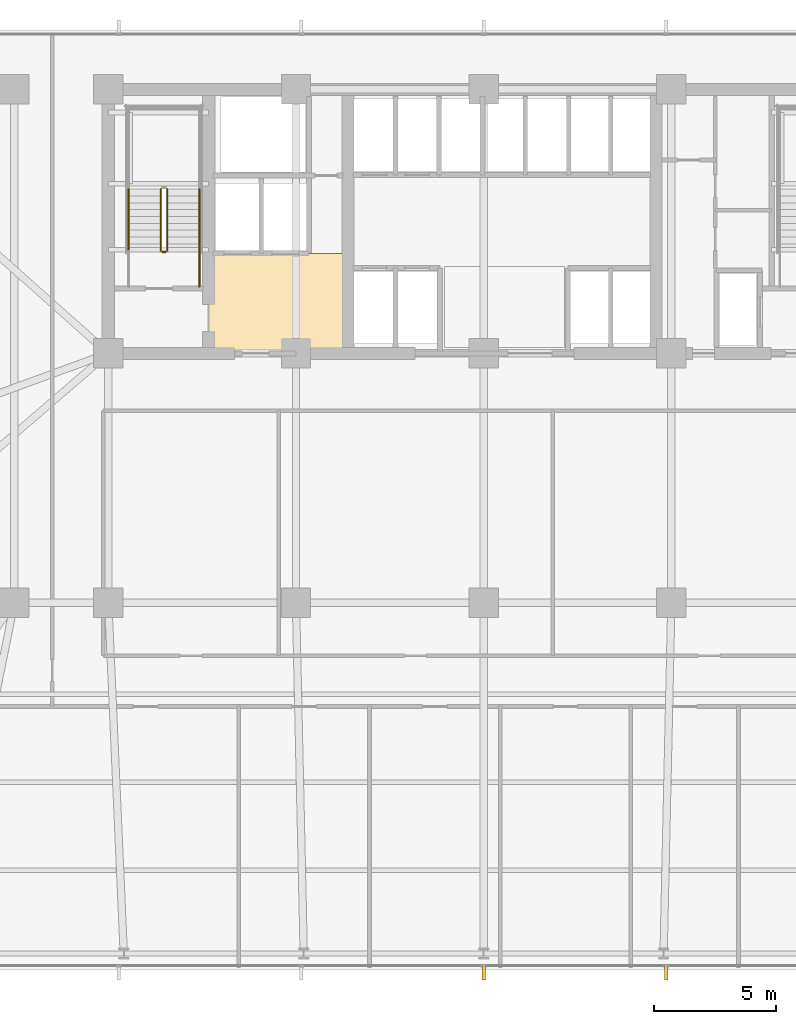
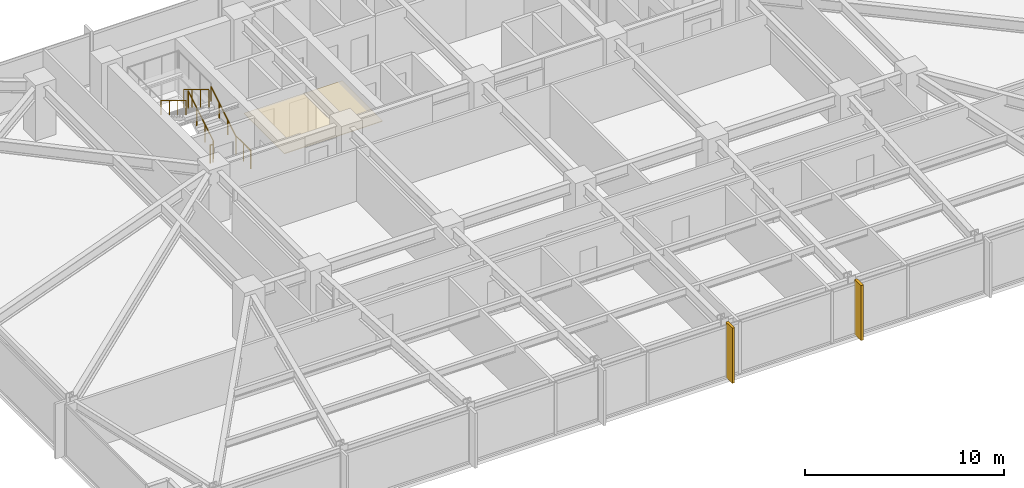
# One storey, part 28 of 33: 6 railings, 2 shading devices, 1 covering.
"""IFC4 building model written with IfcOpenShell, lengths in metres."""

from ifc_helpers import new_model, si_unit, direction, frame, origin, origin_2d, place, context, subcontext, project, spatial, polyline, rectangle, circle, outline, extrude, material, layer, layer_set, type_object, element, save


model = new_model("IFC4")

# Units and contexts
model_context = context("Model", 3, precision=1e-05, world=origin(), true_north=direction((0.0, 1.0)))
body_context = subcontext(model_context, "Body", "Model", "MODEL_VIEW")
ifc_project = project(units=[si_unit("LENGTHUNIT", "METRE"), si_unit("AREAUNIT", "SQUARE_METRE"), si_unit("VOLUMEUNIT", "CUBIC_METRE"), si_unit("PLANEANGLEUNIT", "RADIAN"), si_unit("MASSUNIT", "GRAM", prefix="KILO")], contexts=[model_context])

# Site, building, storey
site_placement = place(None, origin())
site = spatial("IfcSite", under=ifc_project, at=site_placement, CompositionType="ELEMENT")
building_placement = place(site_placement, origin())
building = spatial("IfcBuilding", under=site, at=building_placement, Name="Yelkora Congress Tower", CompositionType="ELEMENT")
storey_placement = place(building_placement, frame((0.0, 0.0, 37.199951171875)))
storey = spatial("IfcBuildingStorey", under=building, at=storey_placement, Name="L08", CompositionType="ELEMENT", Elevation=37.199951171875)

# Covering
ifc_material_1 = material(Name="Perforated mineral-fibre acoustic ceiling", Category="gypsum")
ifc_layer_1 = layer(ifc_material_1, 0.0400390625)
ifc_layer_set_1 = layer_set([ifc_layer_1], Name="Perforated mineral-fibre acoustic ceiling")
covering_type = type_object("IfcCoveringType", Name="COV-CEIL-ACOUSTIC-40", PredefinedType="CEILING", material=ifc_layer_set_1)
covering_placement = place(storey_placement, frame((0.0, 0.0, 2.400146484375)))
element("IfcCovering", 1, at=covering_placement, inside=storey, type_object=covering_type, Name="L08 Firefighting Lobby Acoustic Ceiling", PredefinedType="CEILING", context=body_context, shape_type="SweptSolid", body=[
    extrude(outline(polyline([(27.14990234375, 35.39990234375), (32.85009765625, 35.39990234375), (32.85009765625, 39.47998046875), (27.14990234375, 39.47998046875), (27.14990234375, 35.39990234375)])), origin(), (0.0, 0.0, 1.0), 0.039794921875),
])

# Railings
ifc_material_2 = material(Name="Painted galvanised steel stair well guard with vertical infill", Category="steel")
ifc_layer_2 = layer(ifc_material_2, 0.06005859375)
ifc_layer_set_2 = layer_set([ifc_layer_2], Name="Painted galvanised steel stair well guard with vertical infill")
railing_type_1 = type_object("IfcRailingType", Name="RAIL-STAIR-GUARD-1120", PredefinedType="GUARDRAIL", material=ifc_layer_set_2)
railing_1_placement = place(storey_placement, frame((25.449951171875, 39.60009765625, 0.170166015625)))
element("IfcRailing", 2, at=railing_1_placement, inside=storey, type_object=railing_type_1, Name="ST-01 L08 Stair Well Guardrail 1", PredefinedType="GUARDRAIL", context=body_context, shape_type="SweptSolid", body=[
    extrude(circle(Radius=0.02392578125, at=origin_2d()), frame((0.0, 0.0, 1.09619140625), z_axis=(0.0, 0.854821627497, 0.518921945155), x_axis=(-1.0, 0.0, 0.0)), (0.0, 0.0, 1.0), 2.947998046875),
    extrude(circle(Radius=0.02099609375, at=origin_2d()), origin(), (0.0, 0.0, 1.0), 1.072021484375),
    extrude(circle(Radius=0.02099609375, at=origin_2d()), frame((0.0, 0.840087890625, 0.510009765625)), (0.0, 0.0, 1.0), 1.072021484375),
    extrude(circle(Radius=0.02099609375, at=origin_2d()), frame((0.0, 1.679931640625, 1.019775390625)), (0.0, 0.0, 1.0), 1.072021484375),
    extrude(circle(Radius=0.02099609375, at=origin_2d()), frame((0.0, 2.52001953125, 1.52978515625)), (0.0, 0.0, 1.0), 1.072021484375),
])
railing_2_placement = place(storey_placement, frame((25.18994140625, 42.1201171875, 1.8701171875)))
element("IfcRailing", 3, at=railing_2_placement, inside=storey, type_object=railing_type_1, Name="ST-01 L08 Stair Well Guardrail 6", PredefinedType="GUARDRAIL", context=body_context, shape_type="SweptSolid", body=[
    extrude(circle(Radius=0.02392578125, at=origin_2d()), frame((0.0, 0.0, 1.09619140625), z_axis=(0.0, -0.85478489116, 0.518982456201), x_axis=(1.0, 0.0, 0.0)), (0.0, 0.0, 1.0), 2.9482421875),
    extrude(circle(Radius=0.02099609375, at=origin_2d()), origin(), (0.0, 0.0, 1.0), 1.072021484375),
    extrude(circle(Radius=0.02099609375, at=origin_2d()), frame((0.0, -0.840087890625, 0.510009765625)), (0.0, 0.0, 1.0), 1.072021484375),
    extrude(circle(Radius=0.02099609375, at=origin_2d()), frame((0.0, -1.679931640625, 1.02001953125)), (0.0, 0.0, 1.0), 1.072021484375),
    extrude(circle(Radius=0.02099609375, at=origin_2d()), frame((0.0, -2.52001953125, 1.530029296875)), (0.0, 0.0, 1.0), 1.072021484375),
])
railing_3_placement = place(storey_placement, frame((25.39990234375, 39.550048828125, 0.0)))
element("IfcRailing", 4, at=railing_3_placement, inside=storey, type_object=railing_type_1, Name="ST-01 L08 Stair Well Guardrail 7", PredefinedType="GUARDRAIL", context=body_context, shape_type="SweptSolid", body=[
    extrude(circle(Radius=0.02392578125, at=origin_2d()), frame((0.0, 0.0, 1.09619140625), z_axis=(-1.0, 0.0, 0.0), x_axis=(0.0, -1.0, 0.0)), (0.0, 0.0, 1.0), 0.159912109375),
    extrude(circle(Radius=0.02099609375, at=origin_2d()), origin(), (0.0, 0.0, 1.0), 1.072021484375),
    extrude(circle(Radius=0.02099609375, at=origin_2d()), frame((-0.159912109375, 0.0, 0.0)), (0.0, 0.0, 1.0), 1.072021484375),
])
railing_4_placement = place(storey_placement, frame((26.77001953125, 38.1201171875, 0.0)))
element("IfcRailing", 5, at=railing_4_placement, inside=storey, type_object=railing_type_1, Name="ST-01 L08 Stair Well Guardrail 8", PredefinedType="GUARDRAIL", context=body_context, shape_type="SweptSolid", body=[
    extrude(circle(Radius=0.02392578125, at=origin_2d()), frame((0.0, 0.0, 1.09619140625), z_axis=(0.0, 1.0, 0.0), x_axis=(-1.0, 0.0, 0.0)), (0.0, 0.0, 1.0), 1.47998046875),
    extrude(circle(Radius=0.02099609375, at=origin_2d()), origin(), (0.0, 0.0, 1.0), 1.072021484375),
    extrude(circle(Radius=0.02099609375, at=origin_2d()), frame((0.0, 0.739990234375, 0.0)), (0.0, 0.0, 1.0), 1.072021484375),
    extrude(circle(Radius=0.02099609375, at=origin_2d()), frame((0.0, 1.47998046875, 0.0)), (0.0, 0.0, 1.0), 1.072021484375),
])
ifc_material_3 = material(Name="Brushed stainless steel tubular handrail", Category="steel")
ifc_layer_3 = layer(ifc_material_3, 0.050048828125)
ifc_layer_set_3 = layer_set([ifc_layer_3], Name="Brushed stainless steel tubular handrail")
railing_type_2 = type_object("IfcRailingType", Name="RAIL-STAIR-HAND-920", PredefinedType="HANDRAIL", material=ifc_layer_set_3)
railing_5_placement = place(storey_placement, frame((26.77001953125, 39.60009765625, 0.170166015625)))
element("IfcRailing", 6, at=railing_5_placement, inside=storey, type_object=railing_type_2, Name="ST-01 L08 Pitch Handrail 1", PredefinedType="HANDRAIL", context=body_context, shape_type="SweptSolid", body=[
    extrude(circle(Radius=0.02392578125, at=origin_2d()), frame((0.0, 0.0, 0.89599609375), z_axis=(0.0, 0.854821627497, 0.518921945155), x_axis=(-1.0, 0.0, 0.0)), (0.0, 0.0, 1.0), 2.947998046875),
    extrude(circle(Radius=0.02099609375, at=origin_2d()), origin(), (0.0, 0.0, 1.0), 0.871826171875),
    extrude(circle(Radius=0.02099609375, at=origin_2d()), frame((0.0, 0.840087890625, 0.510009765625)), (0.0, 0.0, 1.0), 0.871826171875),
    extrude(circle(Radius=0.02099609375, at=origin_2d()), frame((0.0, 1.679931640625, 1.019775390625)), (0.0, 0.0, 1.0), 0.871826171875),
    extrude(circle(Radius=0.02099609375, at=origin_2d()), frame((0.0, 2.52001953125, 1.52978515625)), (0.0, 0.0, 1.0), 0.871826171875),
])
railing_6_placement = place(storey_placement, frame((23.8701171875, 42.1201171875, 1.8701171875)))
element("IfcRailing", 7, at=railing_6_placement, inside=storey, type_object=railing_type_2, Name="ST-01 L08 Pitch Handrail 2", PredefinedType="HANDRAIL", context=body_context, shape_type="SweptSolid", body=[
    extrude(circle(Radius=0.02392578125, at=origin_2d()), frame((0.0, 0.0, 0.89599609375), z_axis=(0.0, -0.85478489116, 0.518982456201), x_axis=(1.0, 0.0, 0.0)), (0.0, 0.0, 1.0), 2.9482421875),
    extrude(circle(Radius=0.02099609375, at=origin_2d()), origin(), (0.0, 0.0, 1.0), 0.871826171875),
    extrude(circle(Radius=0.02099609375, at=origin_2d()), frame((0.0, -0.840087890625, 0.510009765625)), (0.0, 0.0, 1.0), 0.871826171875),
    extrude(circle(Radius=0.02099609375, at=origin_2d()), frame((0.0, -1.679931640625, 1.02001953125)), (0.0, 0.0, 1.0), 0.871826171875),
    extrude(circle(Radius=0.02099609375, at=origin_2d()), frame((0.0, -2.52001953125, 1.530029296875)), (0.0, 0.0, 1.0), 0.871826171875),
])

# Shading devices
ifc_material_4 = material(Name="Champagne anodised aluminium", Category="aluminium")
ifc_layer_4 = layer(ifc_material_4, 3.39990234375)
ifc_layer_set_4 = layer_set([ifc_layer_4], Name="Champagne anodised aluminium")
shading_device_type = type_object("IfcShadingDeviceType", Name="SHD-FIN-ALU-640", PredefinedType="USERDEFINED", material=ifc_layer_set_4)
for number, where, z_axis, x_axis, name in (
    (8, (45.864990234375, 10.080078125, -0.02978515625), (0.0, 0.0, 1.0), (-1.0, 0.0, 0.0), "L08 Vertical Anodised Solar Fin 20-3"),
    (9, (38.39990234375, 10.080078125, -0.02978515625), (0.0, 0.0, 1.0), (-1.0, 0.0, 0.0), "L08 Vertical Anodised Solar Fin 20-4"),
):
    element("IfcShadingDevice", number, at=place(storey_placement, frame(where, z_axis=z_axis, x_axis=x_axis)), inside=storey, type_object=shading_device_type, Name=name, ObjectType="FIN", PredefinedType="USERDEFINED", context=body_context, shape_type="SweptSolid", body=[
        extrude(rectangle(XDim=0.139892578125, YDim=0.639892578125, at=origin_2d()), origin(), (0.0, 0.0, 1.0), 3.3798828125),
    ])

save(model, "model.ifc")
